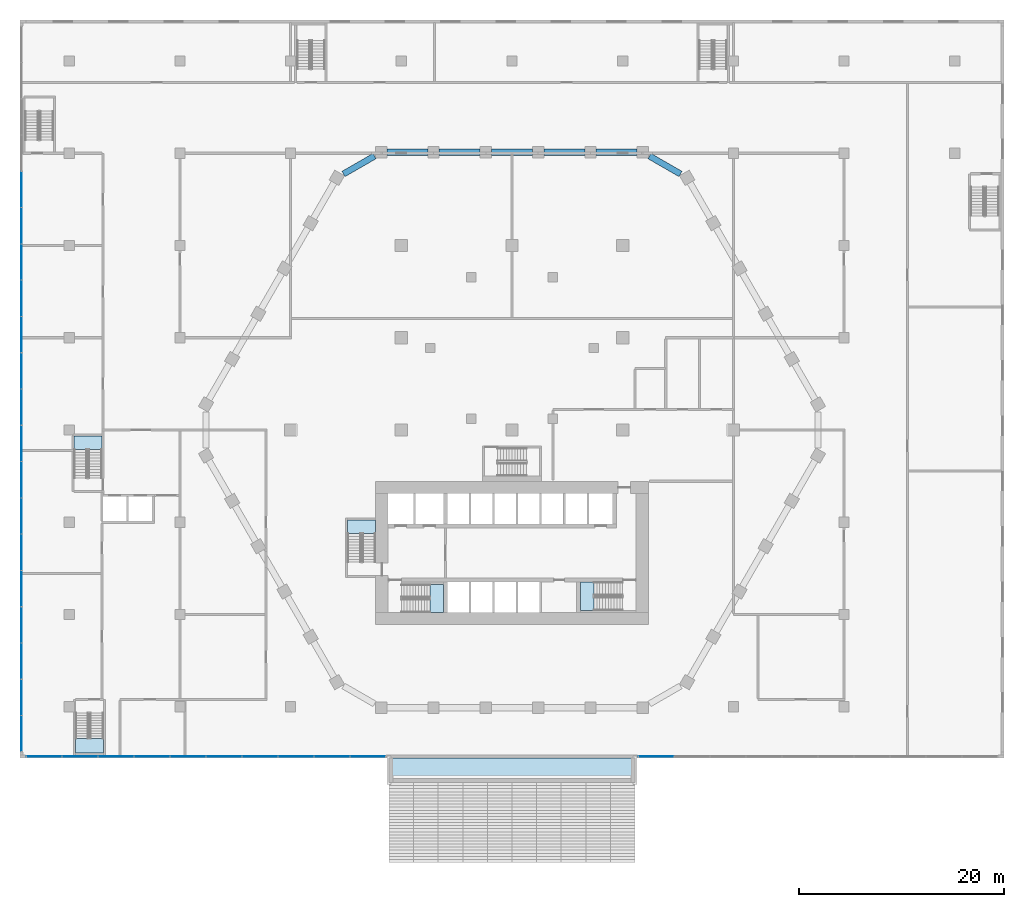
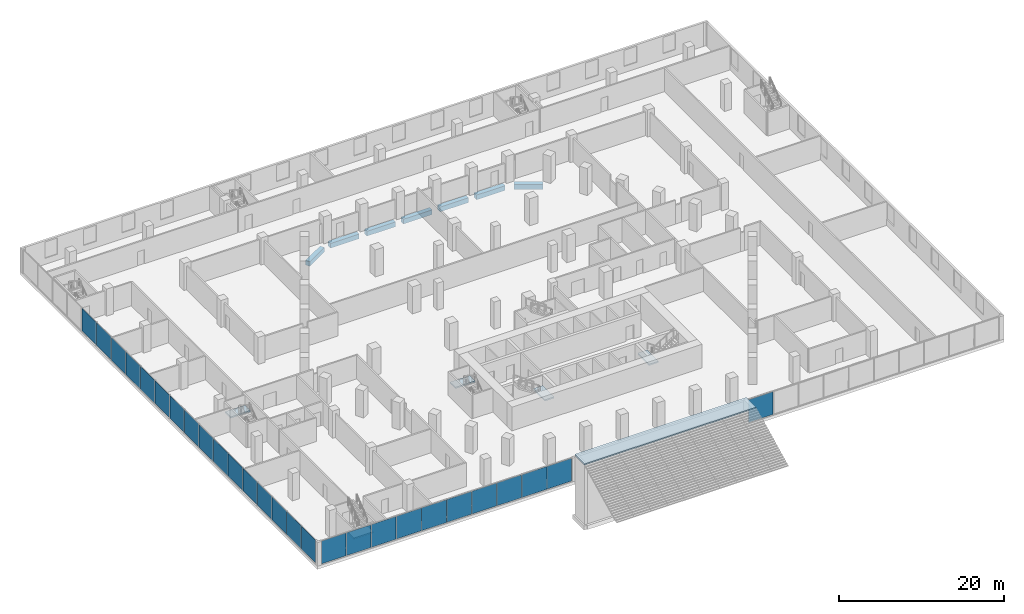
# One storey, part 12 of 45: 27 plates, 7 beams, 6 slabs, 9 elements without a shape of their own.
"""IFC4 building model written with IfcOpenShell, lengths in metres."""

import ifcopenshell
import ifcopenshell.guid

model = None  # the IFC model being written
_history = None  # IfcOwnerHistory: only IFC2X3 demands one
_inside = {}  # id of a spatial element -> (the spatial element, [elements in it])
_under = {}  # id of a project, library or spatial element -> (it, [spatial elements below it])
_declared = {}  # id of a project -> (the project, [libraries it declares])
_typed = {}  # id of a type object -> (the type object, [elements of that type])
_made_of = {}  # id of a material, layer set ... -> (it, [elements and type objects made of it])


def new_model(schema):
    """Start an empty IFC model of exactly this schema.

    Asked for "IFC4X3", IfcOpenShell would pick the latest addendum, in which some entities
    have other attributes; the version numbers below select the first issue.
    IFC2X3 requires an IfcOwnerHistory on every rooted entity: one is made here for all.
    """
    global model, _history
    if schema == "IFC4X3":
        model = ifcopenshell.file(schema_version=(4, 3, 0, 0))
    else:
        model = ifcopenshell.file(schema=schema)
    _inside.clear()
    _under.clear()
    _declared.clear()
    _typed.clear()
    _made_of.clear()
    _history = None
    if model.schema == "IFC2X3":
        org = make("IfcOrganization", Name="unknown")
        user = make(
            "IfcPersonAndOrganization",
            ThePerson=make("IfcPerson", FamilyName="unknown"),
            TheOrganization=org,
        )
        app = make(
            "IfcApplication",
            ApplicationDeveloper=org,
            Version="unknown",
            ApplicationFullName="unknown",
            ApplicationIdentifier="unknown",
        )
        _history = make(
            "IfcOwnerHistory",
            OwningUser=user,
            OwningApplication=app,
            ChangeAction="ADDED",
            CreationDate=0,
        )
    return model


def make(cls, **values):
    """One entity of the class cls with the attributes given. An attribute that is None is left unset."""
    return model.create_entity(
        cls, **{name: value for name, value in values.items() if value is not None}
    )


def rooted(cls, **values):
    """An entity with a GlobalId (a new one), such as an element, a storey or a relation."""
    return make(cls, GlobalId=ifcopenshell.guid.new(), OwnerHistory=_history, **values)


def si_unit(unit_type, name, prefix=None):
    """IfcSIUnit, for example si_unit("LENGTHUNIT", "METRE", prefix="MILLI")."""
    return make("IfcSIUnit", UnitType=unit_type, Prefix=prefix, Name=name)


def assignment(units):
    """IfcUnitAssignment: the units of a project."""
    return None if units is None else make("IfcUnitAssignment", Units=units)


def point(xyz):
    """IfcCartesianPoint."""
    return None if xyz is None else make("IfcCartesianPoint", Coordinates=xyz)


def direction(xyz):
    """IfcDirection."""
    return None if xyz is None else make("IfcDirection", DirectionRatios=xyz)


def frame(location, z_axis=None, x_axis=None):
    """IfcAxis2Placement3D, a coordinate frame: its origin and axes. An axis left out is left unset."""
    return make(
        "IfcAxis2Placement3D",
        Location=point(location),
        Axis=direction(z_axis),
        RefDirection=direction(x_axis),
    )


def frame_2d(location, x_axis=None):
    """IfcAxis2Placement2D, a coordinate frame in the plane: its origin and x axis."""
    return make(
        "IfcAxis2Placement2D", Location=point(location), RefDirection=direction(x_axis)
    )


def origin():
    """The frame at (0, 0, 0) with its axes left unset."""
    return frame((0.0, 0.0, 0.0))


def origin_2d():
    """The frame at (0, 0) in the plane with its x axis left unset."""
    return frame_2d((0.0, 0.0))


def place(relative_to, where):
    """IfcLocalPlacement: puts the frame where relative to a parent placement (None: the world)."""
    return make(
        "IfcLocalPlacement", PlacementRelTo=relative_to, RelativePlacement=where
    )


def context(
    kind, dimensions, precision=None, world=None, true_north=None, identifier=None
):
    """IfcGeometricRepresentationContext, for example the 3D "Model" context."""
    return make(
        "IfcGeometricRepresentationContext",
        ContextIdentifier=identifier,
        ContextType=kind,
        CoordinateSpaceDimension=dimensions,
        Precision=precision,
        WorldCoordinateSystem=world,
        TrueNorth=true_north,
    )


def subcontext(parent, identifier, kind, view, scale=None):
    """IfcGeometricRepresentationSubContext, for example "Body" below "Model"."""
    return make(
        "IfcGeometricRepresentationSubContext",
        ContextIdentifier=identifier,
        ContextType=kind,
        ParentContext=parent,
        TargetScale=scale,
        TargetView=view,
    )


def project(units=None, contexts=None):
    """IfcProject with its units and contexts."""
    return rooted(
        "IfcProject",
        Name="project",
        RepresentationContexts=contexts,
        UnitsInContext=assignment(units),
    )


def spatial(cls, under=None, at=None, **own):
    """A site, building, storey or space (cls), placed at a placement, below another one or the project."""
    s = rooted(cls, ObjectPlacement=at, **own)
    if under is not None:
        _under.setdefault(under.id(), (under, []))[1].append(s)
    return s


def polyline(points):
    """IfcPolyline through the points."""
    return make("IfcPolyline", Points=[point(p) for p in points])


def profile(cls, at=None, kind="AREA", **sizes):
    """A parametric profile (cls). Its sizes go by their IFC names, for example OverallWidth=200.0."""
    return make(cls, ProfileType=kind, Position=at, **sizes)


def rectangle(**sizes):
    """IfcRectangleProfileDef."""
    return profile("IfcRectangleProfileDef", **sizes)


def outline(outer, holes=None, kind="AREA"):
    """IfcArbitraryClosedProfileDef: a profile drawn as a closed curve; with holes, ...WithVoids."""
    if holes is None:
        return make("IfcArbitraryClosedProfileDef", ProfileType=kind, OuterCurve=outer)
    return make(
        "IfcArbitraryProfileDefWithVoids",
        ProfileType=kind,
        OuterCurve=outer,
        InnerCurves=holes,
    )


def extrude(swept, where, along, depth):
    """IfcExtrudedAreaSolid: the profile swept, set in the frame where, extruded along a direction by depth."""
    return make(
        "IfcExtrudedAreaSolid",
        SweptArea=swept,
        Position=where,
        ExtrudedDirection=direction(along),
        Depth=depth,
    )


def shape(context_of_items, identifier, shape_type, items):
    """IfcShapeRepresentation: the items that make up one representation, for example the "Body"."""
    return make(
        "IfcShapeRepresentation",
        ContextOfItems=context_of_items,
        RepresentationIdentifier=identifier,
        RepresentationType=shape_type,
        Items=items,
    )


def material(Name=None, Category=None):
    """IfcMaterial."""
    return make("IfcMaterial", Name=Name, Category=Category)


def layer(
    of_material, thickness, ventilated=None, Name=None, Category=None, Priority=None
):
    """IfcMaterialLayer: one layer of a wall or slab, of a material (None: an air gap)."""
    return make(
        "IfcMaterialLayer",
        Material=of_material,
        LayerThickness=thickness,
        IsVentilated=ventilated,
        Name=Name,
        Category=Category,
        Priority=Priority,
    )


def layer_set(layers, Name=None):
    """IfcMaterialLayerSet."""
    return make("IfcMaterialLayerSet", MaterialLayers=layers, LayerSetName=Name)


def material_profile(
    of_material, cross_section, Name=None, Category=None, Priority=None
):
    """IfcMaterialProfile: a cross section and its material."""
    return make(
        "IfcMaterialProfile",
        Name=Name,
        Material=of_material,
        Profile=cross_section,
        Priority=Priority,
        Category=Category,
    )


def profile_set(profiles, Name=None, composite=None):
    """IfcMaterialProfileSet."""
    return make(
        "IfcMaterialProfileSet",
        Name=Name,
        MaterialProfiles=profiles,
        CompositeProfile=composite,
    )


def made_of(thing, what):
    """Note that an element or type object is made of a material, layer set ...; save() writes the relation."""
    if what is not None:
        _made_of.setdefault(what.id(), (what, []))[1].append(thing)
    return thing


def type_object(cls, material=None, **own):
    """A type object (cls), such as IfcWallType, which elements share."""
    return made_of(rooted(cls, **own), material)


def element(
    cls,
    number,
    at=None,
    inside=None,
    cuts=None,
    type_object=None,
    material=None,
    context=None,
    identifier="Body",
    shape_type=None,
    held_by="IfcProductDefinitionShape",
    body=None,
    shapes=None,
    **own,
):
    """One element of the class cls, such as IfcWall. Its Tag is "e" and its number.

    at: its placement. inside: the storey or other place that contains it. cuts: it is an
    opening in that element (IfcRelVoidsElement). A single representation is given by context,
    identifier, shape_type and body (its items); several are given by shapes. held_by: the class
    of the entity that holds the representations. save() writes the other relations.
    """
    e = rooted(cls, Tag="e%d" % number, ObjectPlacement=at, **own)
    if body is not None:
        shapes = [shape(context, identifier, shape_type, body)]
    if shapes is not None:
        e.Representation = make(held_by, Representations=shapes)
    if inside is not None:
        _inside.setdefault(inside.id(), (inside, []))[1].append(e)
    if cuts is not None:
        rooted(
            "IfcRelVoidsElement", RelatingBuildingElement=cuts, RelatedOpeningElement=e
        )
    if type_object is not None:
        _typed.setdefault(type_object.id(), (type_object, []))[1].append(e)
    return made_of(e, material)


def aggregate(whole, parts):
    """IfcRelAggregates: a whole, such as a stair, and the parts it consists of."""
    return rooted("IfcRelAggregates", RelatingObject=whole, RelatedObjects=parts)


def save(model, path):
    """Write the relations noted so far, then the file.

    IfcRelAggregates (storeys below a building ...), IfcRelContainedInSpatialStructure (elements
    in a storey), IfcRelDefinesByType, IfcRelAssociatesMaterial and IfcRelDeclares: one each for
    every whole, place, type object, material and project.
    """
    for whole, parts in _under.values():
        aggregate(whole, parts)
    for where, things in _inside.values():
        rooted(
            "IfcRelContainedInSpatialStructure",
            RelatedElements=things,
            RelatingStructure=where,
        )
    for kind, things in _typed.values():
        rooted("IfcRelDefinesByType", RelatedObjects=things, RelatingType=kind)
    for what, things in _made_of.values():
        rooted("IfcRelAssociatesMaterial", RelatedObjects=things, RelatingMaterial=what)
    for by, libraries in _declared.values():
        rooted("IfcRelDeclares", RelatingContext=by, RelatedDefinitions=libraries)
    model.write(path)


model = new_model("IFC4")

# Units and contexts
model_context = context("Model", 3, precision=1e-05, world=origin(), true_north=direction((0.0, 1.0)))
body_context = subcontext(model_context, "Body", "Model", "MODEL_VIEW")
ifc_project = project(units=[si_unit("LENGTHUNIT", "METRE"), si_unit("AREAUNIT", "SQUARE_METRE"), si_unit("VOLUMEUNIT", "CUBIC_METRE"), si_unit("PLANEANGLEUNIT", "RADIAN"), si_unit("MASSUNIT", "GRAM", prefix="KILO")], contexts=[model_context])

# Site, building, storey
site_placement = place(None, origin())
site = spatial("IfcSite", under=ifc_project, at=site_placement, CompositionType="ELEMENT")
building_placement = place(site_placement, origin())
building = spatial("IfcBuilding", under=site, at=building_placement, Name="Beryl Residences", CompositionType="ELEMENT")
storey_placement = place(building_placement, frame((0.0, 0.0, 5.0)))
storey = spatial("IfcBuildingStorey", under=building, at=storey_placement, Name="L01", CompositionType="ELEMENT", Elevation=5.0)

# Beams
ifc_material_1 = material(Name="Concrete C80/95", Category="concrete")
ifc_material_profile = material_profile(ifc_material_1, rectangle(XDim=0.60009765625, YDim=0.699951171875, at=origin_2d()))
ifc_profile_set = profile_set([ifc_material_profile], Name="Concrete C80/95")
beam_type = type_object("IfcBeamType", Name="SB1 spandrel beam 600 x 700 C80/95", PredefinedType="SPANDREL", material=ifc_profile_set)
for number, where, z_axis, x_axis, name in (
    (1, (12.208984375, 27.10009765625, -0.800048828125), (-1.0, 0.0, 0.0), (0.0, -1.0, 0.0), "SB1 L01 N-0"),
    (2, (7.10498046875, 27.10009765625, -0.800048828125), (-1.0, 0.0, 0.0), (0.0, -1.0, 0.0), "SB1 L01 N-1"),
    (3, (2.0009765625, 27.10009765625, -0.800048828125), (-1.0, 0.0, 0.0), (0.0, -1.0, 0.0), "SB1 L01 N-2"),
    (4, (-3.10302734375, 27.10009765625, -0.800048828125), (-1.0, 0.0, 0.0), (0.0, -1.0, 0.0), "SB1 L01 N-3"),
    (5, (-8.20703125, 27.10009765625, -0.800048828125), (-1.0, 0.0, 0.0), (0.0, -1.0, 0.0), "SB1 L01 N-4"),
):
    element("IfcBeam", number, at=place(storey_placement, frame(where, z_axis=z_axis, x_axis=x_axis)), inside=storey, type_object=beam_type, Name=name, PredefinedType="SPANDREL", context=body_context, shape_type="SweptSolid", body=[
        extrude(rectangle(XDim=0.60009765625, YDim=0.699951171875, at=origin_2d()), origin(), (0.0, 0.0, 1.0), 4.00390625),
    ])
beam_1_placement = place(storey_placement, frame((-13.410888671875, 26.72412109375, -0.800048828125), z_axis=(-0.866121658299, -0.499833245218, 0.0), x_axis=(0.499833245218, -0.866121658299, 0.0)))
element("IfcBeam", 6, at=beam_1_placement, inside=storey, type_object=beam_type, Name="SB1 L01 N-5", PredefinedType="SPANDREL", context=body_context, shape_type="SweptSolid", body=[
    extrude(rectangle(XDim=0.60009765625, YDim=0.699951171875, at=origin_2d()), origin(), (0.0, 0.0, 1.0), 3.497314453125),
])
beam_2_placement = place(storey_placement, frame((16.43896484375, 24.97607421875, -0.800048828125), z_axis=(-0.866070549782, 0.499921796684, 0.0), x_axis=(-0.499921796684, -0.866070549782, 0.0)))
element("IfcBeam", 7, at=beam_2_placement, inside=storey, type_object=beam_type, Name="SB1 L01 NE-5", PredefinedType="SPANDREL", context=body_context, shape_type="SweptSolid", body=[
    extrude(rectangle(XDim=0.60009765625, YDim=0.699951171875, at=origin_2d()), origin(), (0.0, 0.0, 1.0), 3.49853515625),
])

# Curtain wall, plates
ifc_material_2 = material(Name="Aluminium and clear glass", Category="aluminium")
curtain_wall_type = type_object("IfcCurtainWallType", Name="CW1 shopfront glazed wall", PredefinedType="NOTDEFINED", material=ifc_material_2)
curtain_wall_1_placement = place(storey_placement, origin())
curtain_wall_1 = element("IfcCurtainWall", 8, at=curtain_wall_1_placement, inside=storey, type_object=curtain_wall_type, Name="CW1 L01 S", PredefinedType="NOTDEFINED")
ifc_material_3 = material(Name="Clear laminated glass", Category="glass")
ifc_layer_1 = layer(ifc_material_3, 0.028076171875)
ifc_layer_set_1 = layer_set([ifc_layer_1], Name="CW1-P glazing panel 28 mm")
plate_type = type_object("IfcPlateType", Name="CW1-P glazing panel 28 mm", PredefinedType="CURTAIN_PANEL", material=ifc_layer_set_1)
plate_1_placement = place(storey_placement, frame((-45.6298828125, -31.85009765625, 0.06005859375), z_axis=(0.0, 0.0, 1.0), x_axis=(1.0, 0.0, 0.0)))
plate_1 = element("IfcPlate", 9, at=plate_1_placement, type_object=plate_type, Name="CW1 panel 1.1", PredefinedType="CURTAIN_PANEL", context=body_context, shape_type="SweptSolid", body=[
    extrude(rectangle(XDim=3.419921875, YDim=0.028076171875, at=origin_2d()), origin(), (0.0, 0.0, 1.0), 3.3798828125),
])
plate_2_placement = place(storey_placement, frame((-42.135009765625, -31.85009765625, 0.06005859375), z_axis=(0.0, 0.0, 1.0), x_axis=(1.0, 0.0, 0.0)))
plate_2 = element("IfcPlate", 10, at=plate_2_placement, type_object=plate_type, Name="CW1 panel 2.1", PredefinedType="CURTAIN_PANEL", context=body_context, shape_type="SweptSolid", body=[
    extrude(rectangle(XDim=3.449951171875, YDim=0.028076171875, at=origin_2d()), origin(), (0.0, 0.0, 1.0), 3.3798828125),
])
plate_3_placement = place(storey_placement, frame((-38.625, -31.85009765625, 0.06005859375), z_axis=(0.0, 0.0, 1.0), x_axis=(1.0, 0.0, 0.0)))
plate_3 = element("IfcPlate", 11, at=plate_3_placement, type_object=plate_type, Name="CW1 panel 3.1", PredefinedType="CURTAIN_PANEL", context=body_context, shape_type="SweptSolid", body=[
    extrude(rectangle(XDim=3.449951171875, YDim=0.028076171875, at=origin_2d()), origin(), (0.0, 0.0, 1.0), 3.3798828125),
])
plate_4_placement = place(storey_placement, frame((-35.114990234375, -31.85009765625, 0.06005859375), z_axis=(0.0, 0.0, 1.0), x_axis=(1.0, 0.0, 0.0)))
plate_4 = element("IfcPlate", 12, at=plate_4_placement, type_object=plate_type, Name="CW1 panel 4.1", PredefinedType="CURTAIN_PANEL", context=body_context, shape_type="SweptSolid", body=[
    extrude(rectangle(XDim=3.449951171875, YDim=0.028076171875, at=origin_2d()), origin(), (0.0, 0.0, 1.0), 3.3798828125),
])
plate_5_placement = place(storey_placement, frame((-31.60498046875, -31.85009765625, 0.06005859375), z_axis=(0.0, 0.0, 1.0), x_axis=(1.0, 0.0, 0.0)))
plate_5 = element("IfcPlate", 13, at=plate_5_placement, type_object=plate_type, Name="CW1 panel 5.1", PredefinedType="CURTAIN_PANEL", context=body_context, shape_type="SweptSolid", body=[
    extrude(rectangle(XDim=3.449951171875, YDim=0.028076171875, at=origin_2d()), origin(), (0.0, 0.0, 1.0), 3.3798828125),
])
plate_6_placement = place(storey_placement, frame((-28.094970703125, -31.85009765625, 0.06005859375), z_axis=(0.0, 0.0, 1.0), x_axis=(1.0, 0.0, 0.0)))
plate_6 = element("IfcPlate", 14, at=plate_6_placement, type_object=plate_type, Name="CW1 panel 6.1", PredefinedType="CURTAIN_PANEL", context=body_context, shape_type="SweptSolid", body=[
    extrude(rectangle(XDim=3.449951171875, YDim=0.028076171875, at=origin_2d()), origin(), (0.0, 0.0, 1.0), 3.3798828125),
])
plate_7_placement = place(storey_placement, frame((-24.5849609375, -31.85009765625, 0.06005859375), z_axis=(0.0, 0.0, 1.0), x_axis=(1.0, 0.0, 0.0)))
plate_7 = element("IfcPlate", 15, at=plate_7_placement, type_object=plate_type, Name="CW1 panel 7.1", PredefinedType="CURTAIN_PANEL", context=body_context, shape_type="SweptSolid", body=[
    extrude(rectangle(XDim=3.449951171875, YDim=0.028076171875, at=origin_2d()), origin(), (0.0, 0.0, 1.0), 3.3798828125),
])
plate_8_placement = place(storey_placement, frame((-21.074951171875, -31.85009765625, 0.06005859375), z_axis=(0.0, 0.0, 1.0), x_axis=(1.0, 0.0, 0.0)))
plate_8 = element("IfcPlate", 16, at=plate_8_placement, type_object=plate_type, Name="CW1 panel 8.1", PredefinedType="CURTAIN_PANEL", context=body_context, shape_type="SweptSolid", body=[
    extrude(rectangle(XDim=3.449951171875, YDim=0.028076171875, at=origin_2d()), origin(), (0.0, 0.0, 1.0), 3.3798828125),
])
plate_9_placement = place(storey_placement, frame((-17.56494140625, -31.85009765625, 0.06005859375), z_axis=(0.0, 0.0, 1.0), x_axis=(1.0, 0.0, 0.0)))
plate_9 = element("IfcPlate", 17, at=plate_9_placement, type_object=plate_type, Name="CW1 panel 9.1", PredefinedType="CURTAIN_PANEL", context=body_context, shape_type="SweptSolid", body=[
    extrude(rectangle(XDim=3.449951171875, YDim=0.028076171875, at=origin_2d()), origin(), (0.0, 0.0, 1.0), 3.3798828125),
])
plate_10_placement = place(storey_placement, frame((-14.070068359375, -31.85009765625, 0.06005859375), z_axis=(0.0, 0.0, 1.0), x_axis=(1.0, 0.0, 0.0)))
plate_10 = element("IfcPlate", 18, at=plate_10_placement, type_object=plate_type, Name="CW1 panel 10.1", PredefinedType="CURTAIN_PANEL", context=body_context, shape_type="SweptSolid", body=[
    extrude(rectangle(XDim=3.419921875, YDim=0.028076171875, at=origin_2d()), origin(), (0.0, 0.0, 1.0), 3.3798828125),
])
aggregate(curtain_wall_1, [plate_1, plate_2, plate_3, plate_4, plate_5, plate_6, plate_7, plate_8, plate_9, plate_10])

# Curtain wall, plate
curtain_wall_2_placement = place(storey_placement, origin())
curtain_wall_2 = element("IfcCurtainWall", 19, at=curtain_wall_2_placement, inside=storey, type_object=curtain_wall_type, Name="CW1 L01 S", PredefinedType="NOTDEFINED")
plate_11_placement = place(storey_placement, frame((14.070068359375, -31.85009765625, 0.06005859375), z_axis=(0.0, 0.0, 1.0), x_axis=(1.0, 0.0, 0.0)))
plate_11 = element("IfcPlate", 20, at=plate_11_placement, type_object=plate_type, Name="CW1 panel 1.1", PredefinedType="CURTAIN_PANEL", context=body_context, shape_type="SweptSolid", body=[
    extrude(rectangle(XDim=3.419921875, YDim=0.028076171875, at=origin_2d()), origin(), (0.0, 0.0, 1.0), 3.3798828125),
])
aggregate(curtain_wall_2, [plate_11])

# Curtain wall, plates
curtain_wall_3_placement = place(storey_placement, origin())
curtain_wall_3 = element("IfcCurtainWall", 21, at=curtain_wall_3_placement, inside=storey, type_object=curtain_wall_type, Name="CW1 L01 W", PredefinedType="NOTDEFINED")
plate_12_placement = place(storey_placement, frame((-47.85009765625, 23.469970703125, 0.06005859375), z_axis=(0.0, 0.0, 1.0), x_axis=(0.0, -1.0, 0.0)))
plate_12 = element("IfcPlate", 22, at=plate_12_placement, type_object=plate_type, Name="CW1 panel 5.1", PredefinedType="CURTAIN_PANEL", context=body_context, shape_type="SweptSolid", body=[
    extrude(rectangle(XDim=3.47998046875, YDim=0.028076171875, at=origin_2d()), origin(), (0.0, 0.0, 1.0), 3.3798828125),
])
plate_13_placement = place(storey_placement, frame((-47.85009765625, 19.929931640625, 0.06005859375), z_axis=(0.0, 0.0, 1.0), x_axis=(0.0, -1.0, 0.0)))
plate_13 = element("IfcPlate", 23, at=plate_13_placement, type_object=plate_type, Name="CW1 panel 6.1", PredefinedType="CURTAIN_PANEL", context=body_context, shape_type="SweptSolid", body=[
    extrude(rectangle(XDim=3.47998046875, YDim=0.028076171875, at=origin_2d()), origin(), (0.0, 0.0, 1.0), 3.3798828125),
])
plate_14_placement = place(storey_placement, frame((-47.85009765625, 16.389892578125, 0.06005859375), z_axis=(0.0, 0.0, 1.0), x_axis=(0.0, -1.0, 0.0)))
plate_14 = element("IfcPlate", 24, at=plate_14_placement, type_object=plate_type, Name="CW1 panel 7.1", PredefinedType="CURTAIN_PANEL", context=body_context, shape_type="SweptSolid", body=[
    extrude(rectangle(XDim=3.47998046875, YDim=0.028076171875, at=origin_2d()), origin(), (0.0, 0.0, 1.0), 3.3798828125),
])
plate_15_placement = place(storey_placement, frame((-47.85009765625, 12.85009765625, 0.06005859375), z_axis=(0.0, 0.0, 1.0), x_axis=(0.0, -1.0, 0.0)))
plate_15 = element("IfcPlate", 25, at=plate_15_placement, type_object=plate_type, Name="CW1 panel 8.1", PredefinedType="CURTAIN_PANEL", context=body_context, shape_type="SweptSolid", body=[
    extrude(rectangle(XDim=3.47998046875, YDim=0.028076171875, at=origin_2d()), origin(), (0.0, 0.0, 1.0), 3.3798828125),
])
plate_16_placement = place(storey_placement, frame((-47.85009765625, 9.31005859375, 0.06005859375), z_axis=(0.0, 0.0, 1.0), x_axis=(0.0, -1.0, 0.0)))
plate_16 = element("IfcPlate", 26, at=plate_16_placement, type_object=plate_type, Name="CW1 panel 9.1", PredefinedType="CURTAIN_PANEL", context=body_context, shape_type="SweptSolid", body=[
    extrude(rectangle(XDim=3.47998046875, YDim=0.028076171875, at=origin_2d()), origin(), (0.0, 0.0, 1.0), 3.3798828125),
])
plate_17_placement = place(storey_placement, frame((-47.85009765625, 5.77001953125, 0.06005859375), z_axis=(0.0, 0.0, 1.0), x_axis=(0.0, -1.0, 0.0)))
plate_17 = element("IfcPlate", 27, at=plate_17_placement, type_object=plate_type, Name="CW1 panel 10.1", PredefinedType="CURTAIN_PANEL", context=body_context, shape_type="SweptSolid", body=[
    extrude(rectangle(XDim=3.47998046875, YDim=0.028076171875, at=origin_2d()), origin(), (0.0, 0.0, 1.0), 3.3798828125),
])
plate_18_placement = place(storey_placement, frame((-47.85009765625, 2.22998046875, 0.06005859375), z_axis=(0.0, 0.0, 1.0), x_axis=(0.0, -1.0, 0.0)))
plate_18 = element("IfcPlate", 28, at=plate_18_placement, type_object=plate_type, Name="CW1 panel 11.1", PredefinedType="CURTAIN_PANEL", context=body_context, shape_type="SweptSolid", body=[
    extrude(rectangle(XDim=3.47998046875, YDim=0.028076171875, at=origin_2d()), origin(), (0.0, 0.0, 1.0), 3.3798828125),
])
plate_19_placement = place(storey_placement, frame((-47.85009765625, -1.31005859375, 0.06005859375), z_axis=(0.0, 0.0, 1.0), x_axis=(0.0, -1.0, 0.0)))
plate_19 = element("IfcPlate", 29, at=plate_19_placement, type_object=plate_type, Name="CW1 panel 12.1", PredefinedType="CURTAIN_PANEL", context=body_context, shape_type="SweptSolid", body=[
    extrude(rectangle(XDim=3.47998046875, YDim=0.028076171875, at=origin_2d()), origin(), (0.0, 0.0, 1.0), 3.3798828125),
])
plate_20_placement = place(storey_placement, frame((-47.85009765625, -4.85009765625, 0.06005859375), z_axis=(0.0, 0.0, 1.0), x_axis=(0.0, -1.0, 0.0)))
plate_20 = element("IfcPlate", 30, at=plate_20_placement, type_object=plate_type, Name="CW1 panel 13.1", PredefinedType="CURTAIN_PANEL", context=body_context, shape_type="SweptSolid", body=[
    extrude(rectangle(XDim=3.47998046875, YDim=0.028076171875, at=origin_2d()), origin(), (0.0, 0.0, 1.0), 3.3798828125),
])
plate_21_placement = place(storey_placement, frame((-47.85009765625, -8.389892578125, 0.06005859375), z_axis=(0.0, 0.0, 1.0), x_axis=(0.0, -1.0, 0.0)))
plate_21 = element("IfcPlate", 31, at=plate_21_placement, type_object=plate_type, Name="CW1 panel 14.1", PredefinedType="CURTAIN_PANEL", context=body_context, shape_type="SweptSolid", body=[
    extrude(rectangle(XDim=3.47998046875, YDim=0.028076171875, at=origin_2d()), origin(), (0.0, 0.0, 1.0), 3.3798828125),
])
plate_22_placement = place(storey_placement, frame((-47.85009765625, -11.929931640625, 0.06005859375), z_axis=(0.0, 0.0, 1.0), x_axis=(0.0, -1.0, 0.0)))
plate_22 = element("IfcPlate", 32, at=plate_22_placement, type_object=plate_type, Name="CW1 panel 15.1", PredefinedType="CURTAIN_PANEL", context=body_context, shape_type="SweptSolid", body=[
    extrude(rectangle(XDim=3.47998046875, YDim=0.028076171875, at=origin_2d()), origin(), (0.0, 0.0, 1.0), 3.3798828125),
])
plate_23_placement = place(storey_placement, frame((-47.85009765625, -15.469970703125, 0.06005859375), z_axis=(0.0, 0.0, 1.0), x_axis=(0.0, -1.0, 0.0)))
plate_23 = element("IfcPlate", 33, at=plate_23_placement, type_object=plate_type, Name="CW1 panel 16.1", PredefinedType="CURTAIN_PANEL", context=body_context, shape_type="SweptSolid", body=[
    extrude(rectangle(XDim=3.47998046875, YDim=0.028076171875, at=origin_2d()), origin(), (0.0, 0.0, 1.0), 3.3798828125),
])
plate_24_placement = place(storey_placement, frame((-47.85009765625, -19.010009765625, 0.06005859375), z_axis=(0.0, 0.0, 1.0), x_axis=(0.0, -1.0, 0.0)))
plate_24 = element("IfcPlate", 34, at=plate_24_placement, type_object=plate_type, Name="CW1 panel 17.1", PredefinedType="CURTAIN_PANEL", context=body_context, shape_type="SweptSolid", body=[
    extrude(rectangle(XDim=3.47998046875, YDim=0.028076171875, at=origin_2d()), origin(), (0.0, 0.0, 1.0), 3.3798828125),
])
plate_25_placement = place(storey_placement, frame((-47.85009765625, -22.550048828125, 0.06005859375), z_axis=(0.0, 0.0, 1.0), x_axis=(0.0, -1.0, 0.0)))
plate_25 = element("IfcPlate", 35, at=plate_25_placement, type_object=plate_type, Name="CW1 panel 18.1", PredefinedType="CURTAIN_PANEL", context=body_context, shape_type="SweptSolid", body=[
    extrude(rectangle(XDim=3.47998046875, YDim=0.028076171875, at=origin_2d()), origin(), (0.0, 0.0, 1.0), 3.3798828125),
])
plate_26_placement = place(storey_placement, frame((-47.85009765625, -26.090087890625, 0.06005859375), z_axis=(0.0, 0.0, 1.0), x_axis=(0.0, -1.0, 0.0)))
plate_26 = element("IfcPlate", 36, at=plate_26_placement, type_object=plate_type, Name="CW1 panel 19.1", PredefinedType="CURTAIN_PANEL", context=body_context, shape_type="SweptSolid", body=[
    extrude(rectangle(XDim=3.47998046875, YDim=0.028076171875, at=origin_2d()), origin(), (0.0, 0.0, 1.0), 3.3798828125),
])
plate_27_placement = place(storey_placement, frame((-47.85009765625, -29.614990234375, 0.06005859375), z_axis=(0.0, 0.0, 1.0), x_axis=(0.0, -1.0, 0.0)))
plate_27 = element("IfcPlate", 37, at=plate_27_placement, type_object=plate_type, Name="CW1 panel 20.1", PredefinedType="CURTAIN_PANEL", context=body_context, shape_type="SweptSolid", body=[
    extrude(rectangle(XDim=3.449951171875, YDim=0.028076171875, at=origin_2d()), origin(), (0.0, 0.0, 1.0), 3.3798828125),
])
aggregate(curtain_wall_3, [plate_12, plate_13, plate_14, plate_15, plate_16, plate_17, plate_18, plate_19, plate_20, plate_21, plate_22, plate_23, plate_24, plate_25, plate_26, plate_27])

# Stair, slab
ifc_material_4 = material(Name="Precast concrete C40/50", Category="concrete")
stair_type_1 = type_object("IfcStairType", Name="GS2 garden stair", PredefinedType="STRAIGHT_RUN_STAIR", material=ifc_material_4)
stair_1_placement = place(storey_placement, origin())
stair_1 = element("IfcStair", 38, at=stair_1_placement, inside=storey, type_object=stair_type_1, Name="GS2 garden stair", PredefinedType="STRAIGHT_RUN_STAIR")
ifc_material_5 = material(Name="Precast concrete C40/50", Category="concrete")
ifc_layer_2 = layer(ifc_material_5, 0.199951171875)
ifc_layer_set_2 = layer_set([ifc_layer_2], Name="GL1 garden stair landing")
slab_type_1 = type_object("IfcSlabType", Name="GL1 garden stair landing", PredefinedType="LANDING", material=ifc_layer_set_2)
slab_1_placement = place(storey_placement, frame((0.0, 0.0, 3.800048828125)))
slab_1 = element("IfcSlab", 39, at=slab_1_placement, type_object=slab_type_1, Name="GS2 landing 1", PredefinedType="LANDING", context=body_context, shape_type="SweptSolid", body=[
    extrude(outline(polyline([(-12.0, -34.39990234375), (12.0, -34.39990234375), (12.0, -32.0), (-12.0, -32.0), (-12.0, -34.39990234375)])), origin(), (0.0, 0.0, 1.0), 0.199951171875),
])
aggregate(stair_1, [slab_1])

ifc_material_6 = material(Name="Concrete C40/50", Category="concrete")
stair_type_2 = type_object("IfcStairType", Name="ST1 protected exit stair, half-turn, 1300 mm flights", PredefinedType="HALF_TURN_STAIR", material=ifc_material_6)
stair_2_placement = place(storey_placement, origin())
stair_2 = element("IfcStair", 40, at=stair_2_placement, inside=storey, type_object=stair_type_2, Name="L01 Podium exit stair 4", PredefinedType="HALF_TURN_STAIR")
ifc_material_7 = material(Name="Concrete C40/50", Category="concrete")
ifc_layer_3 = layer(ifc_material_7, 0.199951171875)
ifc_layer_set_3 = layer_set([ifc_layer_3], Name="SLD1 stair landing 200 mm")
slab_type_2 = type_object("IfcSlabType", Name="SLD1 stair landing 200 mm", PredefinedType="LANDING", material=ifc_layer_set_3)
slab_2_placement = place(storey_placement, frame((0.0, 0.0, 1.800048828125)))
slab_2 = element("IfcSlab", 41, at=slab_2_placement, type_object=slab_type_2, Name="PS-4 landing 1", PredefinedType="LANDING", context=body_context, shape_type="SweptSolid", body=[
    extrude(outline(polyline([(-42.60009765625, -30.10009765625), (-42.60009765625, -31.5), (-39.85009765625, -31.5), (-39.85009765625, -30.10009765625), (-42.60009765625, -30.10009765625)])), origin(), (0.0, 0.0, 1.0), 0.199951171875),
])
aggregate(stair_2, [slab_2])

stair_3_placement = place(storey_placement, origin())
stair_3 = element("IfcStair", 42, at=stair_3_placement, inside=storey, type_object=stair_type_2, Name="L01 Podium exit stair 6", PredefinedType="HALF_TURN_STAIR")
slab_3_placement = place(storey_placement, frame((0.0, 0.0, 1.800048828125)))
slab_3 = element("IfcSlab", 43, at=slab_3_placement, type_object=slab_type_2, Name="PS-6 landing 1", PredefinedType="LANDING", context=body_context, shape_type="SweptSolid", body=[
    extrude(outline(polyline([(-40.0, -1.89990234375), (-40.0, -0.60009765625), (-42.75, -0.60009765625), (-42.75, -1.89990234375), (-40.0, -1.89990234375)])), origin(), (0.0, 0.0, 1.0), 0.199951171875),
])
aggregate(stair_3, [slab_3])

stair_4_placement = place(storey_placement, origin())
stair_4 = element("IfcStair", 44, at=stair_4_placement, inside=storey, type_object=stair_type_2, Name="L01 PROTECTED EXIT STAIR ST-1", PredefinedType="HALF_TURN_STAIR")
slab_4_placement = place(storey_placement, frame((0.0, 0.0, 1.800048828125)))
slab_4 = element("IfcSlab", 45, at=slab_4_placement, type_object=slab_type_2, Name="ST-1 landing 1", PredefinedType="LANDING", context=body_context, shape_type="SweptSolid", body=[
    extrude(outline(polyline([(-8.0, -17.800048828125), (-6.699951171875, -17.800048828125), (-6.699951171875, -15.050048828125), (-8.0, -15.050048828125), (-8.0, -17.800048828125)])), origin(), (0.0, 0.0, 1.0), 0.199951171875),
])
aggregate(stair_4, [slab_4])

stair_5_placement = place(storey_placement, origin())
stair_5 = element("IfcStair", 46, at=stair_5_placement, inside=storey, type_object=stair_type_2, Name="L01 PROTECTED EXIT STAIR ST-2", PredefinedType="HALF_TURN_STAIR")
slab_5_placement = place(storey_placement, frame((0.0, 0.0, 1.800048828125)))
slab_5 = element("IfcSlab", 47, at=slab_5_placement, type_object=slab_type_2, Name="ST-2 landing 1", PredefinedType="LANDING", context=body_context, shape_type="SweptSolid", body=[
    extrude(outline(polyline([(-13.300048828125, -10.10009765625), (-13.300048828125, -8.800048828125), (-16.050048828125, -8.800048828125), (-16.050048828125, -10.10009765625), (-13.300048828125, -10.10009765625)])), origin(), (0.0, 0.0, 1.0), 0.199951171875),
])
aggregate(stair_5, [slab_5])

stair_6_placement = place(storey_placement, origin())
stair_6 = element("IfcStair", 48, at=stair_6_placement, inside=storey, type_object=stair_type_2, Name="L01 PROTECTED EXIT STAIR ST-3", PredefinedType="HALF_TURN_STAIR")
slab_6_placement = place(storey_placement, frame((0.0, 0.0, 1.800048828125)))
slab_6 = element("IfcSlab", 49, at=slab_6_placement, type_object=slab_type_2, Name="ST-3 landing 1", PredefinedType="LANDING", context=body_context, shape_type="SweptSolid", body=[
    extrude(outline(polyline([(8.0, -14.85009765625), (6.699951171875, -14.85009765625), (6.699951171875, -17.60009765625), (8.0, -17.60009765625), (8.0, -14.85009765625)])), origin(), (0.0, 0.0, 1.0), 0.199951171875),
])
aggregate(stair_6, [slab_6])

save(model, "model.ifc")
